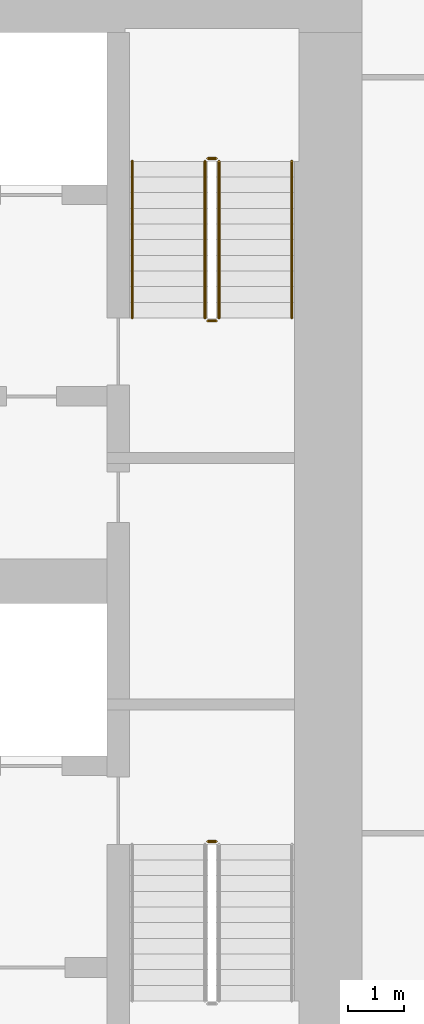
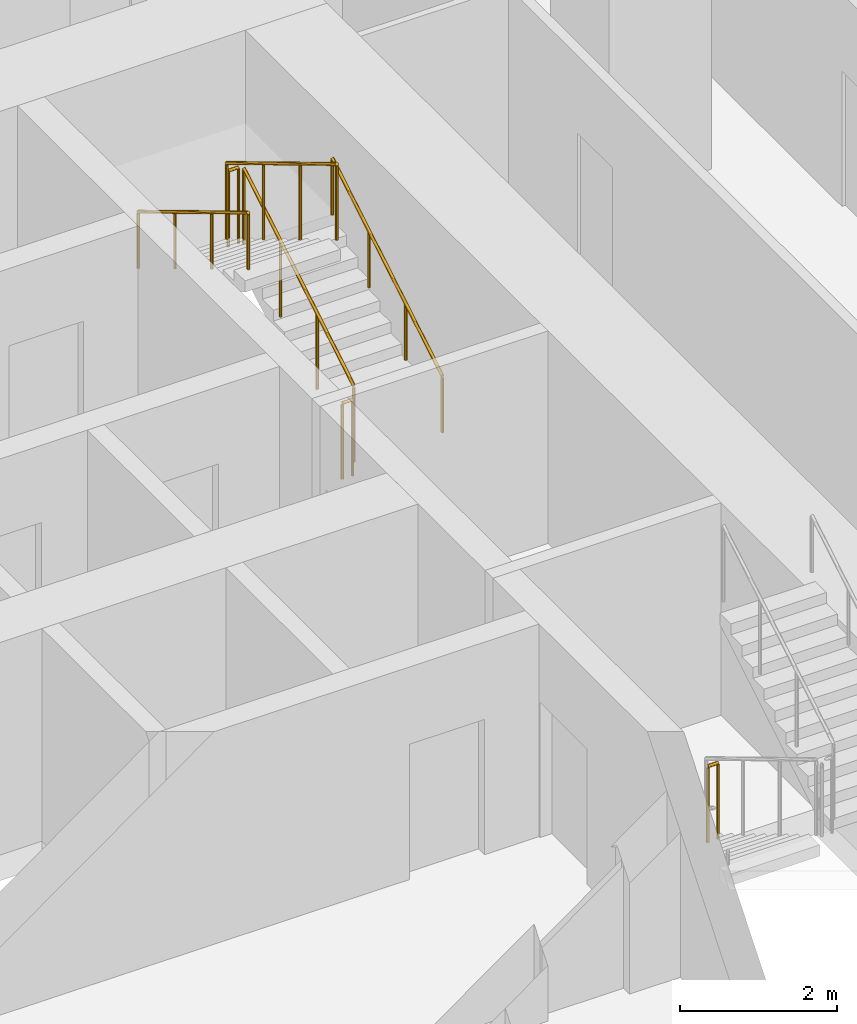
# One storey, part 26 of 27: 7 railings.
"""IFC4 building model written with IfcOpenShell, lengths in metres."""

from ifc_helpers import new_model, si_unit, direction, frame, origin, origin_2d, place, context, subcontext, project, spatial, circle, extrude, material, type_object, element, save


model = new_model("IFC4")

# Units and contexts
model_context = context("Model", 3, precision=1e-05, world=origin(), true_north=direction((0.0, 1.0)))
body_context = subcontext(model_context, "Body", "Model", "MODEL_VIEW")
ifc_project = project(units=[si_unit("LENGTHUNIT", "METRE"), si_unit("AREAUNIT", "SQUARE_METRE"), si_unit("VOLUMEUNIT", "CUBIC_METRE"), si_unit("PLANEANGLEUNIT", "RADIAN"), si_unit("MASSUNIT", "GRAM", prefix="KILO")], contexts=[model_context])

# Site, building, storey
site_placement = place(None, origin())
site = spatial("IfcSite", under=ifc_project, at=site_placement, CompositionType="ELEMENT")
building_placement = place(site_placement, origin())
building = spatial("IfcBuilding", under=site, at=building_placement, Name="Dongbaek Canopy Tower", CompositionType="ELEMENT")
storey_placement = place(building_placement, frame((0.0, 0.0, 58.800048828125)))
storey = spatial("IfcBuildingStorey", under=building, at=storey_placement, Name="L10", CompositionType="ELEMENT", Elevation=58.800048828125)

# Railings
ifc_material_1 = material(Name="Stainless steel tube and balusters", Category="steel")
railing_type_1 = type_object("IfcRailingType", Name="Stair guard 1200", PredefinedType="GUARDRAIL", material=ifc_material_1)
railing_1_placement = place(storey_placement, frame((11.449951171875, 4.699951171875, 0.168212890625)))
element("IfcRailing", 1, at=railing_1_placement, inside=storey, type_object=railing_type_1, Name="L10 ST-A stair guard 1", PredefinedType="GUARDRAIL", context=body_context, shape_type="SweptSolid", body=[
    extrude(circle(Radius=0.02392578125, at=origin_2d()), frame((0.0, 0.0, 1.17578125), z_axis=(0.0, 0.857275202839, 0.514858452973), x_axis=(-1.0, 0.0, 0.0)), (0.0, 0.0, 1.0), 3.26611328125),
    extrude(circle(Radius=0.02099609375, at=origin_2d()), origin(), (0.0, 0.0, 1.0), 1.15185546875),
    extrude(circle(Radius=0.02099609375, at=origin_2d()), frame((0.0, 0.933349609375, 0.560546875)), (0.0, 0.0, 1.0), 1.15185546875),
    extrude(circle(Radius=0.02099609375, at=origin_2d()), frame((0.0, 1.86669921875, 1.12109375)), (0.0, 0.0, 1.0), 1.15185546875),
    extrude(circle(Radius=0.02099609375, at=origin_2d()), frame((0.0, 2.800048828125, 1.681640625)), (0.0, 0.0, 1.0), 1.15185546875),
])
railing_2_placement = place(storey_placement, frame((11.39990234375, 7.550048828125, 1.849853515625)))
element("IfcRailing", 2, at=railing_2_placement, inside=storey, type_object=railing_type_1, Name="L10 ST-A stair guard 2", PredefinedType="GUARDRAIL", context=body_context, shape_type="SweptSolid", body=[
    extrude(circle(Radius=0.02392578125, at=origin_2d()), frame((0.0, 0.0, 1.17578125), z_axis=(-1.0, 0.0, 0.0), x_axis=(0.0, -1.0, 0.0)), (0.0, 0.0, 1.0), 0.14990234375),
    extrude(circle(Radius=0.02099609375, at=origin_2d()), origin(), (0.0, 0.0, 1.0), 1.15185546875),
    extrude(circle(Radius=0.02099609375, at=origin_2d()), frame((-0.14990234375, 0.0, 0.0)), (0.0, 0.0, 1.0), 1.15185546875),
])
railing_3_placement = place(storey_placement, frame((11.199951171875, 7.5, 2.01806640625)))
element("IfcRailing", 3, at=railing_3_placement, inside=storey, type_object=railing_type_1, Name="L10 ST-A stair guard 3", PredefinedType="GUARDRAIL", context=body_context, shape_type="SweptSolid", body=[
    extrude(circle(Radius=0.02392578125, at=origin_2d()), frame((0.0, 0.0, 1.17578125), z_axis=(0.0, -0.857242210791, 0.514913383045), x_axis=(1.0, 0.0, 0.0)), (0.0, 0.0, 1.0), 3.266357421875),
    extrude(circle(Radius=0.02099609375, at=origin_2d()), origin(), (0.0, 0.0, 1.0), 1.15185546875),
    extrude(circle(Radius=0.02099609375, at=origin_2d()), frame((0.0, -0.933349609375, 0.560546875)), (0.0, 0.0, 1.0), 1.15185546875),
    extrude(circle(Radius=0.02099609375, at=origin_2d()), frame((0.0, -1.86669921875, 1.121337890625)), (0.0, 0.0, 1.0), 1.15185546875),
    extrude(circle(Radius=0.02099609375, at=origin_2d()), frame((0.0, -2.800048828125, 1.681884765625)), (0.0, 0.0, 1.0), 1.15185546875),
])
railing_4_placement = place(storey_placement, frame((11.39990234375, 4.64990234375, 0.0)))
element("IfcRailing", 4, at=railing_4_placement, inside=storey, type_object=railing_type_1, Name="L10 ST-A stair guard 4", PredefinedType="GUARDRAIL", context=body_context, shape_type="SweptSolid", body=[
    extrude(circle(Radius=0.02392578125, at=origin_2d()), frame((0.0, 0.0, 1.17578125), z_axis=(-1.0, 0.0, 0.0), x_axis=(0.0, -1.0, 0.0)), (0.0, 0.0, 1.0), 0.14990234375),
    extrude(circle(Radius=0.02099609375, at=origin_2d()), origin(), (0.0, 0.0, 1.0), 1.15185546875),
    extrude(circle(Radius=0.02099609375, at=origin_2d()), frame((-0.14990234375, 0.0, 0.0)), (0.0, 0.0, 1.0), 1.15185546875),
])
railing_5_placement = place(storey_placement, frame((11.25, -4.64990234375, 0.0)))
element("IfcRailing", 5, at=railing_5_placement, inside=storey, type_object=railing_type_1, Name="L10 ST-B stair guard 4", PredefinedType="GUARDRAIL", context=body_context, shape_type="SweptSolid", body=[
    extrude(circle(Radius=0.02392578125, at=origin_2d()), frame((0.0, 0.0, 1.17578125), z_axis=(1.0, 0.0, 0.0), x_axis=(0.0, 1.0, 0.0)), (0.0, 0.0, 1.0), 0.14990234375),
    extrude(circle(Radius=0.02099609375, at=origin_2d()), origin(), (0.0, 0.0, 1.0), 1.15185546875),
    extrude(circle(Radius=0.02099609375, at=origin_2d()), frame((0.14990234375, 0.0, 0.0)), (0.0, 0.0, 1.0), 1.15185546875),
])
ifc_material_2 = material(Name="Stainless steel tube", Category="steel")
railing_type_2 = type_object("IfcRailingType", Name="Stair handrail 900", PredefinedType="HANDRAIL", material=ifc_material_2)
railing_6_placement = place(storey_placement, frame((12.75, 4.699951171875, 0.168212890625)))
element("IfcRailing", 6, at=railing_6_placement, inside=storey, type_object=railing_type_2, Name="L10 ST-A stair handrail 1", PredefinedType="HANDRAIL", context=body_context, shape_type="SweptSolid", body=[
    extrude(circle(Radius=0.02392578125, at=origin_2d()), frame((0.0, 0.0, 0.8759765625), z_axis=(0.0, 0.857275202839, 0.514858452973), x_axis=(-1.0, 0.0, 0.0)), (0.0, 0.0, 1.0), 3.26611328125),
    extrude(circle(Radius=0.02099609375, at=origin_2d()), origin(), (0.0, 0.0, 1.0), 0.851806640625),
    extrude(circle(Radius=0.02099609375, at=origin_2d()), frame((0.0, 0.933349609375, 0.560546875)), (0.0, 0.0, 1.0), 0.851806640625),
    extrude(circle(Radius=0.02099609375, at=origin_2d()), frame((0.0, 1.86669921875, 1.12109375)), (0.0, 0.0, 1.0), 0.851806640625),
    extrude(circle(Radius=0.02099609375, at=origin_2d()), frame((0.0, 2.800048828125, 1.681640625)), (0.0, 0.0, 1.0), 0.851806640625),
])
railing_7_placement = place(storey_placement, frame((9.89990234375, 7.5, 2.01806640625)))
element("IfcRailing", 7, at=railing_7_placement, inside=storey, type_object=railing_type_2, Name="L10 ST-A stair handrail 2", PredefinedType="HANDRAIL", context=body_context, shape_type="SweptSolid", body=[
    extrude(circle(Radius=0.02392578125, at=origin_2d()), frame((0.0, 0.0, 0.8759765625), z_axis=(0.0, -0.857242210791, 0.514913383045), x_axis=(1.0, 0.0, 0.0)), (0.0, 0.0, 1.0), 3.266357421875),
    extrude(circle(Radius=0.02099609375, at=origin_2d()), origin(), (0.0, 0.0, 1.0), 0.851806640625),
    extrude(circle(Radius=0.02099609375, at=origin_2d()), frame((0.0, -0.933349609375, 0.560546875)), (0.0, 0.0, 1.0), 0.851806640625),
    extrude(circle(Radius=0.02099609375, at=origin_2d()), frame((0.0, -1.86669921875, 1.121337890625)), (0.0, 0.0, 1.0), 0.851806640625),
    extrude(circle(Radius=0.02099609375, at=origin_2d()), frame((0.0, -2.800048828125, 1.681884765625)), (0.0, 0.0, 1.0), 0.851806640625),
])

save(model, "model.ifc")
